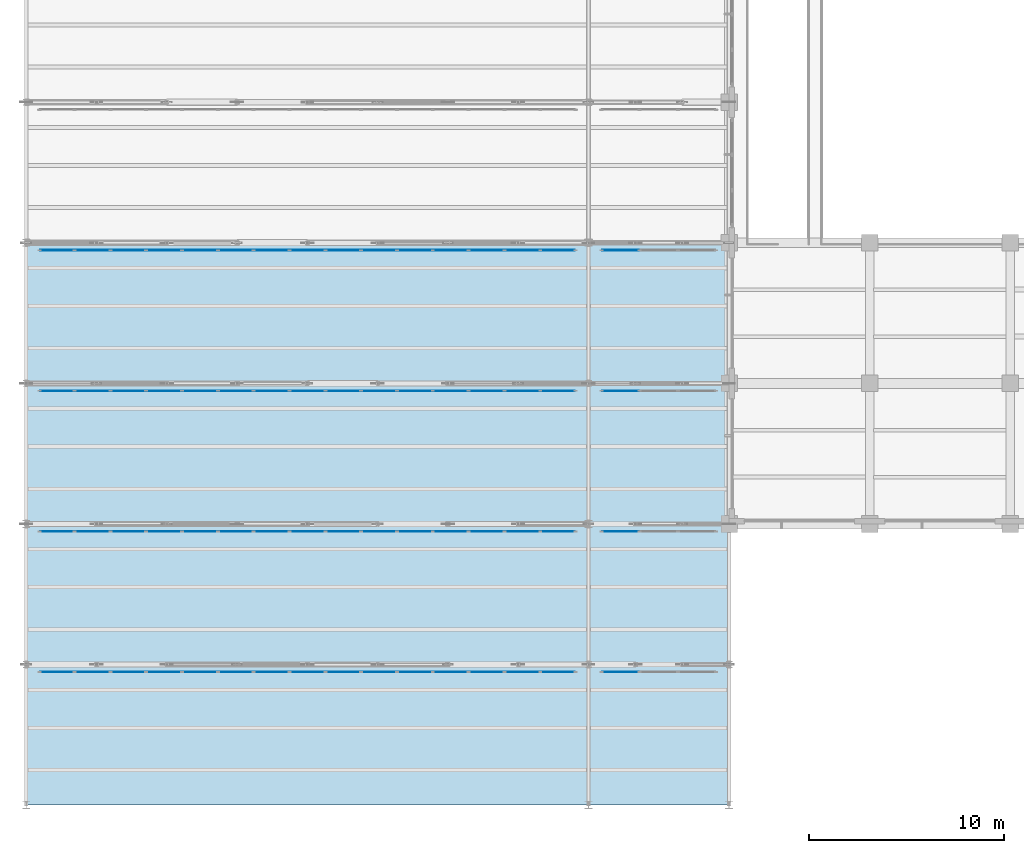
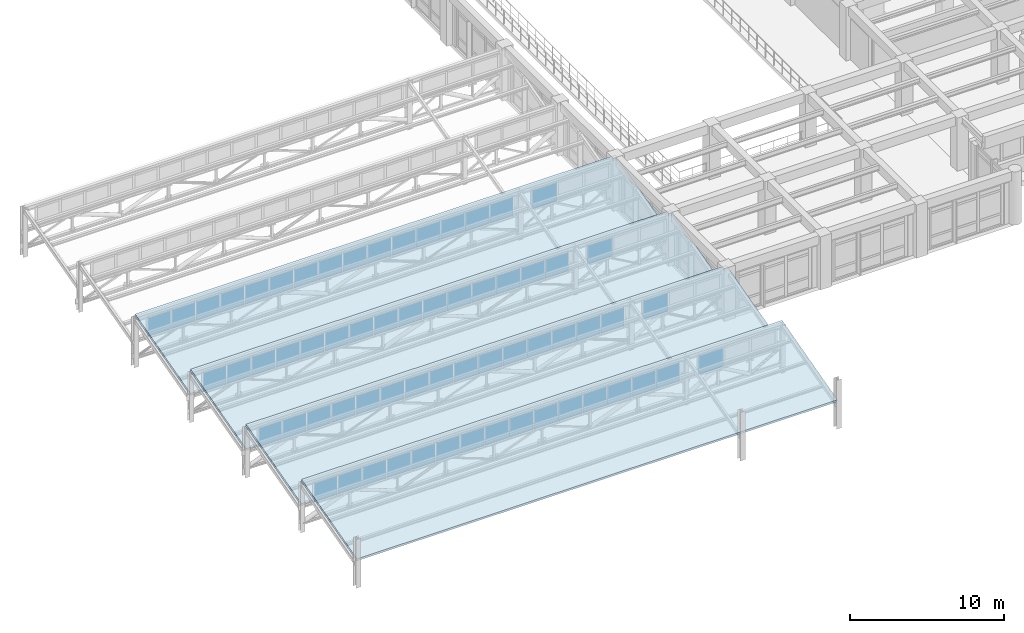
# One storey, part 64 of 98: 64 plates, 4 slabs, 8 elements without a shape of their own.
"""IFC4 building model written with IfcOpenShell, lengths in metres."""

from ifc_helpers import new_model, si_unit, direction, frame, origin, origin_2d, place, context, subcontext, project, spatial, polyline, rectangle, outline, extrude, material, layer, layer_set, type_object, element, aggregate, save


model = new_model("IFC4")

# Units and contexts
model_context = context("Model", 3, precision=1e-05, world=origin(), true_north=direction((0.0, 1.0)))
body_context = subcontext(model_context, "Body", "Model", "MODEL_VIEW")
ifc_project = project(units=[si_unit("LENGTHUNIT", "METRE"), si_unit("AREAUNIT", "SQUARE_METRE"), si_unit("VOLUMEUNIT", "CUBIC_METRE"), si_unit("PLANEANGLEUNIT", "RADIAN"), si_unit("MASSUNIT", "GRAM", prefix="KILO")], contexts=[model_context])

# Site, building, storey
site_placement = place(None, origin())
site = spatial("IfcSite", under=ifc_project, at=site_placement, CompositionType="ELEMENT")
building_placement = place(site_placement, origin())
building = spatial("IfcBuilding", under=site, at=building_placement, Name="Solenvale Faculty of Natural Sciences", CompositionType="ELEMENT")
storey_placement = place(building_placement, frame((0.0, 0.0, 9.0)))
storey = spatial("IfcBuildingStorey", under=building, at=storey_placement, Name="L02", CompositionType="ELEMENT", Elevation=9.0)

# Curtain wall, plates
ifc_material_1 = material(Name="Anodised bronze aluminium", Category="aluminium")
ifc_layer_1 = layer(ifc_material_1, 0.1650390625)
ifc_layer_set_1 = layer_set([ifc_layer_1], Name="Anodised bronze aluminium")
curtain_wall_type = type_object("IfcCurtainWallType", Name="CW-SAW-CLR", PredefinedType="USERDEFINED", material=ifc_layer_set_1)
curtain_wall_1_placement = place(storey_placement, origin())
curtain_wall_1 = element("IfcCurtainWall", 1, at=curtain_wall_1_placement, inside=storey, type_object=curtain_wall_type, Name="L02 Curtain Wall SAW-V1-CW-1-1", ObjectType="NORTH LIGHT CLERESTORY", PredefinedType="USERDEFINED")
ifc_material_2 = material(Name="North-light skylight glass", Category="glass")
ifc_layer_2 = layer(ifc_material_2, 0.028076171875)
ifc_layer_set_2 = layer_set([ifc_layer_2], Name="North-light skylight glass")
plate_type = type_object("IfcPlateType", Name="CWP-PNL-28", PredefinedType="CURTAIN_PANEL", material=ifc_layer_set_2)
plate_1_placement = place(storey_placement, frame((27.226318359375, 6.820068359375, 2.294921875), z_axis=(0.0, 0.0, 1.0), x_axis=(-1.0, 0.0, 0.0)))
plate_1 = element("IfcPlate", 2, at=plate_1_placement, type_object=plate_type, Name="CW-05 panel 1.1", PredefinedType="CURTAIN_PANEL", context=body_context, shape_type="SweptSolid", body=[
    extrude(rectangle(XDim=1.737060546875, YDim=0.028076171875, at=origin_2d()), origin(), (0.0, 0.0, 1.0), 1.47998046875),
])
plate_2_placement = place(storey_placement, frame((25.407958984375, 6.820068359375, 2.294921875), z_axis=(0.0, 0.0, 1.0), x_axis=(-1.0, 0.0, 0.0)))
plate_2 = element("IfcPlate", 3, at=plate_2_placement, type_object=plate_type, Name="CW-05 panel 2.1", PredefinedType="CURTAIN_PANEL", context=body_context, shape_type="SweptSolid", body=[
    extrude(rectangle(XDim=1.769775390625, YDim=0.028076171875, at=origin_2d()), origin(), (0.0, 0.0, 1.0), 1.47998046875),
])
plate_3_placement = place(storey_placement, frame((23.5732421875, 6.820068359375, 2.294921875), z_axis=(0.0, 0.0, 1.0), x_axis=(-1.0, 0.0, 0.0)))
plate_3 = element("IfcPlate", 4, at=plate_3_placement, type_object=plate_type, Name="CW-05 panel 3.1", PredefinedType="CURTAIN_PANEL", context=body_context, shape_type="SweptSolid", body=[
    extrude(rectangle(XDim=1.769775390625, YDim=0.028076171875, at=origin_2d()), origin(), (0.0, 0.0, 1.0), 1.47998046875),
])
plate_4_placement = place(storey_placement, frame((21.73876953125, 6.820068359375, 2.294921875), z_axis=(0.0, 0.0, 1.0), x_axis=(-1.0, 0.0, 0.0)))
plate_4 = element("IfcPlate", 5, at=plate_4_placement, type_object=plate_type, Name="CW-05 panel 4.1", PredefinedType="CURTAIN_PANEL", context=body_context, shape_type="SweptSolid", body=[
    extrude(rectangle(XDim=1.769775390625, YDim=0.028076171875, at=origin_2d()), origin(), (0.0, 0.0, 1.0), 1.47998046875),
])
plate_5_placement = place(storey_placement, frame((19.904052734375, 6.820068359375, 2.294921875), z_axis=(0.0, 0.0, 1.0), x_axis=(-1.0, 0.0, 0.0)))
plate_5 = element("IfcPlate", 6, at=plate_5_placement, type_object=plate_type, Name="CW-05 panel 5.1", PredefinedType="CURTAIN_PANEL", context=body_context, shape_type="SweptSolid", body=[
    extrude(rectangle(XDim=1.769775390625, YDim=0.028076171875, at=origin_2d()), origin(), (0.0, 0.0, 1.0), 1.47998046875),
])
plate_6_placement = place(storey_placement, frame((18.0693359375, 6.820068359375, 2.294921875), z_axis=(0.0, 0.0, 1.0), x_axis=(-1.0, 0.0, 0.0)))
plate_6 = element("IfcPlate", 7, at=plate_6_placement, type_object=plate_type, Name="CW-05 panel 6.1", PredefinedType="CURTAIN_PANEL", context=body_context, shape_type="SweptSolid", body=[
    extrude(rectangle(XDim=1.769775390625, YDim=0.028076171875, at=origin_2d()), origin(), (0.0, 0.0, 1.0), 1.47998046875),
])
plate_7_placement = place(storey_placement, frame((16.234619140625, 6.820068359375, 2.294921875), z_axis=(0.0, 0.0, 1.0), x_axis=(-1.0, 0.0, 0.0)))
plate_7 = element("IfcPlate", 8, at=plate_7_placement, type_object=plate_type, Name="CW-05 panel 7.1", PredefinedType="CURTAIN_PANEL", context=body_context, shape_type="SweptSolid", body=[
    extrude(rectangle(XDim=1.769775390625, YDim=0.028076171875, at=origin_2d()), origin(), (0.0, 0.0, 1.0), 1.47998046875),
])
plate_8_placement = place(storey_placement, frame((14.39990234375, 6.820068359375, 2.294921875), z_axis=(0.0, 0.0, 1.0), x_axis=(-1.0, 0.0, 0.0)))
plate_8 = element("IfcPlate", 9, at=plate_8_placement, type_object=plate_type, Name="CW-05 panel 8.1", PredefinedType="CURTAIN_PANEL", context=body_context, shape_type="SweptSolid", body=[
    extrude(rectangle(XDim=1.769775390625, YDim=0.028076171875, at=origin_2d()), origin(), (0.0, 0.0, 1.0), 1.47998046875),
])
plate_9_placement = place(storey_placement, frame((12.5654296875, 6.820068359375, 2.294921875), z_axis=(0.0, 0.0, 1.0), x_axis=(-1.0, 0.0, 0.0)))
plate_9 = element("IfcPlate", 10, at=plate_9_placement, type_object=plate_type, Name="CW-05 panel 9.1", PredefinedType="CURTAIN_PANEL", context=body_context, shape_type="SweptSolid", body=[
    extrude(rectangle(XDim=1.769775390625, YDim=0.028076171875, at=origin_2d()), origin(), (0.0, 0.0, 1.0), 1.47998046875),
])
plate_10_placement = place(storey_placement, frame((10.730712890625, 6.820068359375, 2.294921875), z_axis=(0.0, 0.0, 1.0), x_axis=(-1.0, 0.0, 0.0)))
plate_10 = element("IfcPlate", 11, at=plate_10_placement, type_object=plate_type, Name="CW-05 panel 10.1", PredefinedType="CURTAIN_PANEL", context=body_context, shape_type="SweptSolid", body=[
    extrude(rectangle(XDim=1.769775390625, YDim=0.028076171875, at=origin_2d()), origin(), (0.0, 0.0, 1.0), 1.47998046875),
])
plate_11_placement = place(storey_placement, frame((8.89599609375, 6.820068359375, 2.294921875), z_axis=(0.0, 0.0, 1.0), x_axis=(-1.0, 0.0, 0.0)))
plate_11 = element("IfcPlate", 12, at=plate_11_placement, type_object=plate_type, Name="CW-05 panel 11.1", PredefinedType="CURTAIN_PANEL", context=body_context, shape_type="SweptSolid", body=[
    extrude(rectangle(XDim=1.769775390625, YDim=0.028076171875, at=origin_2d()), origin(), (0.0, 0.0, 1.0), 1.47998046875),
])
plate_12_placement = place(storey_placement, frame((7.061279296875, 6.820068359375, 2.294921875), z_axis=(0.0, 0.0, 1.0), x_axis=(-1.0, 0.0, 0.0)))
plate_12 = element("IfcPlate", 13, at=plate_12_placement, type_object=plate_type, Name="CW-05 panel 12.1", PredefinedType="CURTAIN_PANEL", context=body_context, shape_type="SweptSolid", body=[
    extrude(rectangle(XDim=1.769775390625, YDim=0.028076171875, at=origin_2d()), origin(), (0.0, 0.0, 1.0), 1.47998046875),
])
plate_13_placement = place(storey_placement, frame((5.2265625, 6.820068359375, 2.294921875), z_axis=(0.0, 0.0, 1.0), x_axis=(-1.0, 0.0, 0.0)))
plate_13 = element("IfcPlate", 14, at=plate_13_placement, type_object=plate_type, Name="CW-05 panel 13.1", PredefinedType="CURTAIN_PANEL", context=body_context, shape_type="SweptSolid", body=[
    extrude(rectangle(XDim=1.769775390625, YDim=0.028076171875, at=origin_2d()), origin(), (0.0, 0.0, 1.0), 1.47998046875),
])
plate_14_placement = place(storey_placement, frame((3.39208984375, 6.820068359375, 2.294921875), z_axis=(0.0, 0.0, 1.0), x_axis=(-1.0, 0.0, 0.0)))
plate_14 = element("IfcPlate", 15, at=plate_14_placement, type_object=plate_type, Name="CW-05 panel 14.1", PredefinedType="CURTAIN_PANEL", context=body_context, shape_type="SweptSolid", body=[
    extrude(rectangle(XDim=1.769775390625, YDim=0.028076171875, at=origin_2d()), origin(), (0.0, 0.0, 1.0), 1.47998046875),
])
plate_15_placement = place(storey_placement, frame((1.573486328125, 6.820068359375, 2.294921875), z_axis=(0.0, 0.0, 1.0), x_axis=(-1.0, 0.0, 0.0)))
plate_15 = element("IfcPlate", 16, at=plate_15_placement, type_object=plate_type, Name="CW-05 panel 15.1", PredefinedType="CURTAIN_PANEL", context=body_context, shape_type="SweptSolid", body=[
    extrude(rectangle(XDim=1.737060546875, YDim=0.028076171875, at=origin_2d()), origin(), (0.0, 0.0, 1.0), 1.47998046875),
])
aggregate(curtain_wall_1, [plate_1, plate_2, plate_3, plate_4, plate_5, plate_6, plate_7, plate_8, plate_9, plate_10, plate_11, plate_12, plate_13, plate_14, plate_15])

# Curtain wall, plate
curtain_wall_2_placement = place(storey_placement, origin())
curtain_wall_2 = element("IfcCurtainWall", 17, at=curtain_wall_2_placement, inside=storey, type_object=curtain_wall_type, Name="L02 Curtain Wall SAW-V1-CW-1-2", ObjectType="NORTH LIGHT CLERESTORY", PredefinedType="USERDEFINED")
plate_16_placement = place(storey_placement, frame((30.44287109375, 6.820068359375, 2.294921875), z_axis=(0.0, 0.0, 1.0), x_axis=(-1.0, 0.0, 0.0)))
plate_16 = element("IfcPlate", 18, at=plate_16_placement, type_object=plate_type, Name="CW-05 panel 3.1", PredefinedType="CURTAIN_PANEL", context=body_context, shape_type="SweptSolid", body=[
    extrude(rectangle(XDim=1.875732421875, YDim=0.028076171875, at=origin_2d()), origin(), (0.0, 0.0, 1.0), 1.47998046875),
])
aggregate(curtain_wall_2, [plate_16])

# Curtain wall, plates
curtain_wall_3_placement = place(storey_placement, origin())
curtain_wall_3 = element("IfcCurtainWall", 19, at=curtain_wall_3_placement, inside=storey, type_object=curtain_wall_type, Name="L02 Curtain Wall SAW-V1-CW-2-1", ObjectType="NORTH LIGHT CLERESTORY", PredefinedType="USERDEFINED")
plate_17_placement = place(storey_placement, frame((27.226318359375, 14.02001953125, 2.294921875), z_axis=(0.0, 0.0, 1.0), x_axis=(-1.0, 0.0, 0.0)))
plate_17 = element("IfcPlate", 20, at=plate_17_placement, type_object=plate_type, Name="CW-05 panel 1.1", PredefinedType="CURTAIN_PANEL", context=body_context, shape_type="SweptSolid", body=[
    extrude(rectangle(XDim=1.737060546875, YDim=0.028076171875, at=origin_2d()), origin(), (0.0, 0.0, 1.0), 1.47998046875),
])
plate_18_placement = place(storey_placement, frame((25.407958984375, 14.02001953125, 2.294921875), z_axis=(0.0, 0.0, 1.0), x_axis=(-1.0, 0.0, 0.0)))
plate_18 = element("IfcPlate", 21, at=plate_18_placement, type_object=plate_type, Name="CW-05 panel 2.1", PredefinedType="CURTAIN_PANEL", context=body_context, shape_type="SweptSolid", body=[
    extrude(rectangle(XDim=1.769775390625, YDim=0.028076171875, at=origin_2d()), origin(), (0.0, 0.0, 1.0), 1.47998046875),
])
plate_19_placement = place(storey_placement, frame((23.5732421875, 14.02001953125, 2.294921875), z_axis=(0.0, 0.0, 1.0), x_axis=(-1.0, 0.0, 0.0)))
plate_19 = element("IfcPlate", 22, at=plate_19_placement, type_object=plate_type, Name="CW-05 panel 3.1", PredefinedType="CURTAIN_PANEL", context=body_context, shape_type="SweptSolid", body=[
    extrude(rectangle(XDim=1.769775390625, YDim=0.028076171875, at=origin_2d()), origin(), (0.0, 0.0, 1.0), 1.47998046875),
])
plate_20_placement = place(storey_placement, frame((21.73876953125, 14.02001953125, 2.294921875), z_axis=(0.0, 0.0, 1.0), x_axis=(-1.0, 0.0, 0.0)))
plate_20 = element("IfcPlate", 23, at=plate_20_placement, type_object=plate_type, Name="CW-05 panel 4.1", PredefinedType="CURTAIN_PANEL", context=body_context, shape_type="SweptSolid", body=[
    extrude(rectangle(XDim=1.769775390625, YDim=0.028076171875, at=origin_2d()), origin(), (0.0, 0.0, 1.0), 1.47998046875),
])
plate_21_placement = place(storey_placement, frame((19.904052734375, 14.02001953125, 2.294921875), z_axis=(0.0, 0.0, 1.0), x_axis=(-1.0, 0.0, 0.0)))
plate_21 = element("IfcPlate", 24, at=plate_21_placement, type_object=plate_type, Name="CW-05 panel 5.1", PredefinedType="CURTAIN_PANEL", context=body_context, shape_type="SweptSolid", body=[
    extrude(rectangle(XDim=1.769775390625, YDim=0.028076171875, at=origin_2d()), origin(), (0.0, 0.0, 1.0), 1.47998046875),
])
plate_22_placement = place(storey_placement, frame((18.0693359375, 14.02001953125, 2.294921875), z_axis=(0.0, 0.0, 1.0), x_axis=(-1.0, 0.0, 0.0)))
plate_22 = element("IfcPlate", 25, at=plate_22_placement, type_object=plate_type, Name="CW-05 panel 6.1", PredefinedType="CURTAIN_PANEL", context=body_context, shape_type="SweptSolid", body=[
    extrude(rectangle(XDim=1.769775390625, YDim=0.028076171875, at=origin_2d()), origin(), (0.0, 0.0, 1.0), 1.47998046875),
])
plate_23_placement = place(storey_placement, frame((16.234619140625, 14.02001953125, 2.294921875), z_axis=(0.0, 0.0, 1.0), x_axis=(-1.0, 0.0, 0.0)))
plate_23 = element("IfcPlate", 26, at=plate_23_placement, type_object=plate_type, Name="CW-05 panel 7.1", PredefinedType="CURTAIN_PANEL", context=body_context, shape_type="SweptSolid", body=[
    extrude(rectangle(XDim=1.769775390625, YDim=0.028076171875, at=origin_2d()), origin(), (0.0, 0.0, 1.0), 1.47998046875),
])
plate_24_placement = place(storey_placement, frame((14.39990234375, 14.02001953125, 2.294921875), z_axis=(0.0, 0.0, 1.0), x_axis=(-1.0, 0.0, 0.0)))
plate_24 = element("IfcPlate", 27, at=plate_24_placement, type_object=plate_type, Name="CW-05 panel 8.1", PredefinedType="CURTAIN_PANEL", context=body_context, shape_type="SweptSolid", body=[
    extrude(rectangle(XDim=1.769775390625, YDim=0.028076171875, at=origin_2d()), origin(), (0.0, 0.0, 1.0), 1.47998046875),
])
plate_25_placement = place(storey_placement, frame((12.5654296875, 14.02001953125, 2.294921875), z_axis=(0.0, 0.0, 1.0), x_axis=(-1.0, 0.0, 0.0)))
plate_25 = element("IfcPlate", 28, at=plate_25_placement, type_object=plate_type, Name="CW-05 panel 9.1", PredefinedType="CURTAIN_PANEL", context=body_context, shape_type="SweptSolid", body=[
    extrude(rectangle(XDim=1.769775390625, YDim=0.028076171875, at=origin_2d()), origin(), (0.0, 0.0, 1.0), 1.47998046875),
])
plate_26_placement = place(storey_placement, frame((10.730712890625, 14.02001953125, 2.294921875), z_axis=(0.0, 0.0, 1.0), x_axis=(-1.0, 0.0, 0.0)))
plate_26 = element("IfcPlate", 29, at=plate_26_placement, type_object=plate_type, Name="CW-05 panel 10.1", PredefinedType="CURTAIN_PANEL", context=body_context, shape_type="SweptSolid", body=[
    extrude(rectangle(XDim=1.769775390625, YDim=0.028076171875, at=origin_2d()), origin(), (0.0, 0.0, 1.0), 1.47998046875),
])
plate_27_placement = place(storey_placement, frame((8.89599609375, 14.02001953125, 2.294921875), z_axis=(0.0, 0.0, 1.0), x_axis=(-1.0, 0.0, 0.0)))
plate_27 = element("IfcPlate", 30, at=plate_27_placement, type_object=plate_type, Name="CW-05 panel 11.1", PredefinedType="CURTAIN_PANEL", context=body_context, shape_type="SweptSolid", body=[
    extrude(rectangle(XDim=1.769775390625, YDim=0.028076171875, at=origin_2d()), origin(), (0.0, 0.0, 1.0), 1.47998046875),
])
plate_28_placement = place(storey_placement, frame((7.061279296875, 14.02001953125, 2.294921875), z_axis=(0.0, 0.0, 1.0), x_axis=(-1.0, 0.0, 0.0)))
plate_28 = element("IfcPlate", 31, at=plate_28_placement, type_object=plate_type, Name="CW-05 panel 12.1", PredefinedType="CURTAIN_PANEL", context=body_context, shape_type="SweptSolid", body=[
    extrude(rectangle(XDim=1.769775390625, YDim=0.028076171875, at=origin_2d()), origin(), (0.0, 0.0, 1.0), 1.47998046875),
])
plate_29_placement = place(storey_placement, frame((5.2265625, 14.02001953125, 2.294921875), z_axis=(0.0, 0.0, 1.0), x_axis=(-1.0, 0.0, 0.0)))
plate_29 = element("IfcPlate", 32, at=plate_29_placement, type_object=plate_type, Name="CW-05 panel 13.1", PredefinedType="CURTAIN_PANEL", context=body_context, shape_type="SweptSolid", body=[
    extrude(rectangle(XDim=1.769775390625, YDim=0.028076171875, at=origin_2d()), origin(), (0.0, 0.0, 1.0), 1.47998046875),
])
plate_30_placement = place(storey_placement, frame((3.39208984375, 14.02001953125, 2.294921875), z_axis=(0.0, 0.0, 1.0), x_axis=(-1.0, 0.0, 0.0)))
plate_30 = element("IfcPlate", 33, at=plate_30_placement, type_object=plate_type, Name="CW-05 panel 14.1", PredefinedType="CURTAIN_PANEL", context=body_context, shape_type="SweptSolid", body=[
    extrude(rectangle(XDim=1.769775390625, YDim=0.028076171875, at=origin_2d()), origin(), (0.0, 0.0, 1.0), 1.47998046875),
])
plate_31_placement = place(storey_placement, frame((1.573486328125, 14.02001953125, 2.294921875), z_axis=(0.0, 0.0, 1.0), x_axis=(-1.0, 0.0, 0.0)))
plate_31 = element("IfcPlate", 34, at=plate_31_placement, type_object=plate_type, Name="CW-05 panel 15.1", PredefinedType="CURTAIN_PANEL", context=body_context, shape_type="SweptSolid", body=[
    extrude(rectangle(XDim=1.737060546875, YDim=0.028076171875, at=origin_2d()), origin(), (0.0, 0.0, 1.0), 1.47998046875),
])
aggregate(curtain_wall_3, [plate_17, plate_18, plate_19, plate_20, plate_21, plate_22, plate_23, plate_24, plate_25, plate_26, plate_27, plate_28, plate_29, plate_30, plate_31])

# Curtain wall, plate
curtain_wall_4_placement = place(storey_placement, origin())
curtain_wall_4 = element("IfcCurtainWall", 35, at=curtain_wall_4_placement, inside=storey, type_object=curtain_wall_type, Name="L02 Curtain Wall SAW-V1-CW-2-2", ObjectType="NORTH LIGHT CLERESTORY", PredefinedType="USERDEFINED")
plate_32_placement = place(storey_placement, frame((30.44287109375, 14.02001953125, 2.294921875), z_axis=(0.0, 0.0, 1.0), x_axis=(-1.0, 0.0, 0.0)))
plate_32 = element("IfcPlate", 36, at=plate_32_placement, type_object=plate_type, Name="CW-05 panel 3.1", PredefinedType="CURTAIN_PANEL", context=body_context, shape_type="SweptSolid", body=[
    extrude(rectangle(XDim=1.875732421875, YDim=0.028076171875, at=origin_2d()), origin(), (0.0, 0.0, 1.0), 1.47998046875),
])
aggregate(curtain_wall_4, [plate_32])

# Curtain wall, plates
curtain_wall_5_placement = place(storey_placement, origin())
curtain_wall_5 = element("IfcCurtainWall", 37, at=curtain_wall_5_placement, inside=storey, type_object=curtain_wall_type, Name="L02 Curtain Wall SAW-V1-CW-3-1", ObjectType="NORTH LIGHT CLERESTORY", PredefinedType="USERDEFINED")
plate_33_placement = place(storey_placement, frame((27.226318359375, 21.219970703125, 2.294921875), z_axis=(0.0, 0.0, 1.0), x_axis=(-1.0, 0.0, 0.0)))
plate_33 = element("IfcPlate", 38, at=plate_33_placement, type_object=plate_type, Name="CW-05 panel 1.1", PredefinedType="CURTAIN_PANEL", context=body_context, shape_type="SweptSolid", body=[
    extrude(rectangle(XDim=1.737060546875, YDim=0.028076171875, at=origin_2d()), origin(), (0.0, 0.0, 1.0), 1.47998046875),
])
plate_34_placement = place(storey_placement, frame((25.407958984375, 21.219970703125, 2.294921875), z_axis=(0.0, 0.0, 1.0), x_axis=(-1.0, 0.0, 0.0)))
plate_34 = element("IfcPlate", 39, at=plate_34_placement, type_object=plate_type, Name="CW-05 panel 2.1", PredefinedType="CURTAIN_PANEL", context=body_context, shape_type="SweptSolid", body=[
    extrude(rectangle(XDim=1.769775390625, YDim=0.028076171875, at=origin_2d()), origin(), (0.0, 0.0, 1.0), 1.47998046875),
])
plate_35_placement = place(storey_placement, frame((23.5732421875, 21.219970703125, 2.294921875), z_axis=(0.0, 0.0, 1.0), x_axis=(-1.0, 0.0, 0.0)))
plate_35 = element("IfcPlate", 40, at=plate_35_placement, type_object=plate_type, Name="CW-05 panel 3.1", PredefinedType="CURTAIN_PANEL", context=body_context, shape_type="SweptSolid", body=[
    extrude(rectangle(XDim=1.769775390625, YDim=0.028076171875, at=origin_2d()), origin(), (0.0, 0.0, 1.0), 1.47998046875),
])
plate_36_placement = place(storey_placement, frame((21.73876953125, 21.219970703125, 2.294921875), z_axis=(0.0, 0.0, 1.0), x_axis=(-1.0, 0.0, 0.0)))
plate_36 = element("IfcPlate", 41, at=plate_36_placement, type_object=plate_type, Name="CW-05 panel 4.1", PredefinedType="CURTAIN_PANEL", context=body_context, shape_type="SweptSolid", body=[
    extrude(rectangle(XDim=1.769775390625, YDim=0.028076171875, at=origin_2d()), origin(), (0.0, 0.0, 1.0), 1.47998046875),
])
plate_37_placement = place(storey_placement, frame((19.904052734375, 21.219970703125, 2.294921875), z_axis=(0.0, 0.0, 1.0), x_axis=(-1.0, 0.0, 0.0)))
plate_37 = element("IfcPlate", 42, at=plate_37_placement, type_object=plate_type, Name="CW-05 panel 5.1", PredefinedType="CURTAIN_PANEL", context=body_context, shape_type="SweptSolid", body=[
    extrude(rectangle(XDim=1.769775390625, YDim=0.028076171875, at=origin_2d()), origin(), (0.0, 0.0, 1.0), 1.47998046875),
])
plate_38_placement = place(storey_placement, frame((18.0693359375, 21.219970703125, 2.294921875), z_axis=(0.0, 0.0, 1.0), x_axis=(-1.0, 0.0, 0.0)))
plate_38 = element("IfcPlate", 43, at=plate_38_placement, type_object=plate_type, Name="CW-05 panel 6.1", PredefinedType="CURTAIN_PANEL", context=body_context, shape_type="SweptSolid", body=[
    extrude(rectangle(XDim=1.769775390625, YDim=0.028076171875, at=origin_2d()), origin(), (0.0, 0.0, 1.0), 1.47998046875),
])
plate_39_placement = place(storey_placement, frame((16.234619140625, 21.219970703125, 2.294921875), z_axis=(0.0, 0.0, 1.0), x_axis=(-1.0, 0.0, 0.0)))
plate_39 = element("IfcPlate", 44, at=plate_39_placement, type_object=plate_type, Name="CW-05 panel 7.1", PredefinedType="CURTAIN_PANEL", context=body_context, shape_type="SweptSolid", body=[
    extrude(rectangle(XDim=1.769775390625, YDim=0.028076171875, at=origin_2d()), origin(), (0.0, 0.0, 1.0), 1.47998046875),
])
plate_40_placement = place(storey_placement, frame((14.39990234375, 21.219970703125, 2.294921875), z_axis=(0.0, 0.0, 1.0), x_axis=(-1.0, 0.0, 0.0)))
plate_40 = element("IfcPlate", 45, at=plate_40_placement, type_object=plate_type, Name="CW-05 panel 8.1", PredefinedType="CURTAIN_PANEL", context=body_context, shape_type="SweptSolid", body=[
    extrude(rectangle(XDim=1.769775390625, YDim=0.028076171875, at=origin_2d()), origin(), (0.0, 0.0, 1.0), 1.47998046875),
])
plate_41_placement = place(storey_placement, frame((12.5654296875, 21.219970703125, 2.294921875), z_axis=(0.0, 0.0, 1.0), x_axis=(-1.0, 0.0, 0.0)))
plate_41 = element("IfcPlate", 46, at=plate_41_placement, type_object=plate_type, Name="CW-05 panel 9.1", PredefinedType="CURTAIN_PANEL", context=body_context, shape_type="SweptSolid", body=[
    extrude(rectangle(XDim=1.769775390625, YDim=0.028076171875, at=origin_2d()), origin(), (0.0, 0.0, 1.0), 1.47998046875),
])
plate_42_placement = place(storey_placement, frame((10.730712890625, 21.219970703125, 2.294921875), z_axis=(0.0, 0.0, 1.0), x_axis=(-1.0, 0.0, 0.0)))
plate_42 = element("IfcPlate", 47, at=plate_42_placement, type_object=plate_type, Name="CW-05 panel 10.1", PredefinedType="CURTAIN_PANEL", context=body_context, shape_type="SweptSolid", body=[
    extrude(rectangle(XDim=1.769775390625, YDim=0.028076171875, at=origin_2d()), origin(), (0.0, 0.0, 1.0), 1.47998046875),
])
plate_43_placement = place(storey_placement, frame((8.89599609375, 21.219970703125, 2.294921875), z_axis=(0.0, 0.0, 1.0), x_axis=(-1.0, 0.0, 0.0)))
plate_43 = element("IfcPlate", 48, at=plate_43_placement, type_object=plate_type, Name="CW-05 panel 11.1", PredefinedType="CURTAIN_PANEL", context=body_context, shape_type="SweptSolid", body=[
    extrude(rectangle(XDim=1.769775390625, YDim=0.028076171875, at=origin_2d()), origin(), (0.0, 0.0, 1.0), 1.47998046875),
])
plate_44_placement = place(storey_placement, frame((7.061279296875, 21.219970703125, 2.294921875), z_axis=(0.0, 0.0, 1.0), x_axis=(-1.0, 0.0, 0.0)))
plate_44 = element("IfcPlate", 49, at=plate_44_placement, type_object=plate_type, Name="CW-05 panel 12.1", PredefinedType="CURTAIN_PANEL", context=body_context, shape_type="SweptSolid", body=[
    extrude(rectangle(XDim=1.769775390625, YDim=0.028076171875, at=origin_2d()), origin(), (0.0, 0.0, 1.0), 1.47998046875),
])
plate_45_placement = place(storey_placement, frame((5.2265625, 21.219970703125, 2.294921875), z_axis=(0.0, 0.0, 1.0), x_axis=(-1.0, 0.0, 0.0)))
plate_45 = element("IfcPlate", 50, at=plate_45_placement, type_object=plate_type, Name="CW-05 panel 13.1", PredefinedType="CURTAIN_PANEL", context=body_context, shape_type="SweptSolid", body=[
    extrude(rectangle(XDim=1.769775390625, YDim=0.028076171875, at=origin_2d()), origin(), (0.0, 0.0, 1.0), 1.47998046875),
])
plate_46_placement = place(storey_placement, frame((3.39208984375, 21.219970703125, 2.294921875), z_axis=(0.0, 0.0, 1.0), x_axis=(-1.0, 0.0, 0.0)))
plate_46 = element("IfcPlate", 51, at=plate_46_placement, type_object=plate_type, Name="CW-05 panel 14.1", PredefinedType="CURTAIN_PANEL", context=body_context, shape_type="SweptSolid", body=[
    extrude(rectangle(XDim=1.769775390625, YDim=0.028076171875, at=origin_2d()), origin(), (0.0, 0.0, 1.0), 1.47998046875),
])
plate_47_placement = place(storey_placement, frame((1.573486328125, 21.219970703125, 2.294921875), z_axis=(0.0, 0.0, 1.0), x_axis=(-1.0, 0.0, 0.0)))
plate_47 = element("IfcPlate", 52, at=plate_47_placement, type_object=plate_type, Name="CW-05 panel 15.1", PredefinedType="CURTAIN_PANEL", context=body_context, shape_type="SweptSolid", body=[
    extrude(rectangle(XDim=1.737060546875, YDim=0.028076171875, at=origin_2d()), origin(), (0.0, 0.0, 1.0), 1.47998046875),
])
aggregate(curtain_wall_5, [plate_33, plate_34, plate_35, plate_36, plate_37, plate_38, plate_39, plate_40, plate_41, plate_42, plate_43, plate_44, plate_45, plate_46, plate_47])

# Curtain wall, plate
curtain_wall_6_placement = place(storey_placement, origin())
curtain_wall_6 = element("IfcCurtainWall", 53, at=curtain_wall_6_placement, inside=storey, type_object=curtain_wall_type, Name="L02 Curtain Wall SAW-V1-CW-3-2", ObjectType="NORTH LIGHT CLERESTORY", PredefinedType="USERDEFINED")
plate_48_placement = place(storey_placement, frame((30.44287109375, 21.219970703125, 2.294921875), z_axis=(0.0, 0.0, 1.0), x_axis=(-1.0, 0.0, 0.0)))
plate_48 = element("IfcPlate", 54, at=plate_48_placement, type_object=plate_type, Name="CW-05 panel 3.1", PredefinedType="CURTAIN_PANEL", context=body_context, shape_type="SweptSolid", body=[
    extrude(rectangle(XDim=1.875732421875, YDim=0.028076171875, at=origin_2d()), origin(), (0.0, 0.0, 1.0), 1.47998046875),
])
aggregate(curtain_wall_6, [plate_48])

# Curtain wall, plates
curtain_wall_7_placement = place(storey_placement, origin())
curtain_wall_7 = element("IfcCurtainWall", 55, at=curtain_wall_7_placement, inside=storey, type_object=curtain_wall_type, Name="L02 Curtain Wall SAW-V1-CW-4-1", ObjectType="NORTH LIGHT CLERESTORY", PredefinedType="USERDEFINED")
plate_49_placement = place(storey_placement, frame((27.226318359375, 28.419921875, 2.294921875), z_axis=(0.0, 0.0, 1.0), x_axis=(-1.0, 0.0, 0.0)))
plate_49 = element("IfcPlate", 56, at=plate_49_placement, type_object=plate_type, Name="CW-05 panel 1.1", PredefinedType="CURTAIN_PANEL", context=body_context, shape_type="SweptSolid", body=[
    extrude(rectangle(XDim=1.737060546875, YDim=0.028076171875, at=origin_2d()), origin(), (0.0, 0.0, 1.0), 1.47998046875),
])
plate_50_placement = place(storey_placement, frame((25.407958984375, 28.419921875, 2.294921875), z_axis=(0.0, 0.0, 1.0), x_axis=(-1.0, 0.0, 0.0)))
plate_50 = element("IfcPlate", 57, at=plate_50_placement, type_object=plate_type, Name="CW-05 panel 2.1", PredefinedType="CURTAIN_PANEL", context=body_context, shape_type="SweptSolid", body=[
    extrude(rectangle(XDim=1.769775390625, YDim=0.028076171875, at=origin_2d()), origin(), (0.0, 0.0, 1.0), 1.47998046875),
])
plate_51_placement = place(storey_placement, frame((23.5732421875, 28.419921875, 2.294921875), z_axis=(0.0, 0.0, 1.0), x_axis=(-1.0, 0.0, 0.0)))
plate_51 = element("IfcPlate", 58, at=plate_51_placement, type_object=plate_type, Name="CW-05 panel 3.1", PredefinedType="CURTAIN_PANEL", context=body_context, shape_type="SweptSolid", body=[
    extrude(rectangle(XDim=1.769775390625, YDim=0.028076171875, at=origin_2d()), origin(), (0.0, 0.0, 1.0), 1.47998046875),
])
plate_52_placement = place(storey_placement, frame((21.73876953125, 28.419921875, 2.294921875), z_axis=(0.0, 0.0, 1.0), x_axis=(-1.0, 0.0, 0.0)))
plate_52 = element("IfcPlate", 59, at=plate_52_placement, type_object=plate_type, Name="CW-05 panel 4.1", PredefinedType="CURTAIN_PANEL", context=body_context, shape_type="SweptSolid", body=[
    extrude(rectangle(XDim=1.769775390625, YDim=0.028076171875, at=origin_2d()), origin(), (0.0, 0.0, 1.0), 1.47998046875),
])
plate_53_placement = place(storey_placement, frame((19.904052734375, 28.419921875, 2.294921875), z_axis=(0.0, 0.0, 1.0), x_axis=(-1.0, 0.0, 0.0)))
plate_53 = element("IfcPlate", 60, at=plate_53_placement, type_object=plate_type, Name="CW-05 panel 5.1", PredefinedType="CURTAIN_PANEL", context=body_context, shape_type="SweptSolid", body=[
    extrude(rectangle(XDim=1.769775390625, YDim=0.028076171875, at=origin_2d()), origin(), (0.0, 0.0, 1.0), 1.47998046875),
])
plate_54_placement = place(storey_placement, frame((18.0693359375, 28.419921875, 2.294921875), z_axis=(0.0, 0.0, 1.0), x_axis=(-1.0, 0.0, 0.0)))
plate_54 = element("IfcPlate", 61, at=plate_54_placement, type_object=plate_type, Name="CW-05 panel 6.1", PredefinedType="CURTAIN_PANEL", context=body_context, shape_type="SweptSolid", body=[
    extrude(rectangle(XDim=1.769775390625, YDim=0.028076171875, at=origin_2d()), origin(), (0.0, 0.0, 1.0), 1.47998046875),
])
plate_55_placement = place(storey_placement, frame((16.234619140625, 28.419921875, 2.294921875), z_axis=(0.0, 0.0, 1.0), x_axis=(-1.0, 0.0, 0.0)))
plate_55 = element("IfcPlate", 62, at=plate_55_placement, type_object=plate_type, Name="CW-05 panel 7.1", PredefinedType="CURTAIN_PANEL", context=body_context, shape_type="SweptSolid", body=[
    extrude(rectangle(XDim=1.769775390625, YDim=0.028076171875, at=origin_2d()), origin(), (0.0, 0.0, 1.0), 1.47998046875),
])
plate_56_placement = place(storey_placement, frame((14.39990234375, 28.419921875, 2.294921875), z_axis=(0.0, 0.0, 1.0), x_axis=(-1.0, 0.0, 0.0)))
plate_56 = element("IfcPlate", 63, at=plate_56_placement, type_object=plate_type, Name="CW-05 panel 8.1", PredefinedType="CURTAIN_PANEL", context=body_context, shape_type="SweptSolid", body=[
    extrude(rectangle(XDim=1.769775390625, YDim=0.028076171875, at=origin_2d()), origin(), (0.0, 0.0, 1.0), 1.47998046875),
])
plate_57_placement = place(storey_placement, frame((12.5654296875, 28.419921875, 2.294921875), z_axis=(0.0, 0.0, 1.0), x_axis=(-1.0, 0.0, 0.0)))
plate_57 = element("IfcPlate", 64, at=plate_57_placement, type_object=plate_type, Name="CW-05 panel 9.1", PredefinedType="CURTAIN_PANEL", context=body_context, shape_type="SweptSolid", body=[
    extrude(rectangle(XDim=1.769775390625, YDim=0.028076171875, at=origin_2d()), origin(), (0.0, 0.0, 1.0), 1.47998046875),
])
plate_58_placement = place(storey_placement, frame((10.730712890625, 28.419921875, 2.294921875), z_axis=(0.0, 0.0, 1.0), x_axis=(-1.0, 0.0, 0.0)))
plate_58 = element("IfcPlate", 65, at=plate_58_placement, type_object=plate_type, Name="CW-05 panel 10.1", PredefinedType="CURTAIN_PANEL", context=body_context, shape_type="SweptSolid", body=[
    extrude(rectangle(XDim=1.769775390625, YDim=0.028076171875, at=origin_2d()), origin(), (0.0, 0.0, 1.0), 1.47998046875),
])
plate_59_placement = place(storey_placement, frame((8.89599609375, 28.419921875, 2.294921875), z_axis=(0.0, 0.0, 1.0), x_axis=(-1.0, 0.0, 0.0)))
plate_59 = element("IfcPlate", 66, at=plate_59_placement, type_object=plate_type, Name="CW-05 panel 11.1", PredefinedType="CURTAIN_PANEL", context=body_context, shape_type="SweptSolid", body=[
    extrude(rectangle(XDim=1.769775390625, YDim=0.028076171875, at=origin_2d()), origin(), (0.0, 0.0, 1.0), 1.47998046875),
])
plate_60_placement = place(storey_placement, frame((7.061279296875, 28.419921875, 2.294921875), z_axis=(0.0, 0.0, 1.0), x_axis=(-1.0, 0.0, 0.0)))
plate_60 = element("IfcPlate", 67, at=plate_60_placement, type_object=plate_type, Name="CW-05 panel 12.1", PredefinedType="CURTAIN_PANEL", context=body_context, shape_type="SweptSolid", body=[
    extrude(rectangle(XDim=1.769775390625, YDim=0.028076171875, at=origin_2d()), origin(), (0.0, 0.0, 1.0), 1.47998046875),
])
plate_61_placement = place(storey_placement, frame((5.2265625, 28.419921875, 2.294921875), z_axis=(0.0, 0.0, 1.0), x_axis=(-1.0, 0.0, 0.0)))
plate_61 = element("IfcPlate", 68, at=plate_61_placement, type_object=plate_type, Name="CW-05 panel 13.1", PredefinedType="CURTAIN_PANEL", context=body_context, shape_type="SweptSolid", body=[
    extrude(rectangle(XDim=1.769775390625, YDim=0.028076171875, at=origin_2d()), origin(), (0.0, 0.0, 1.0), 1.47998046875),
])
plate_62_placement = place(storey_placement, frame((3.39208984375, 28.419921875, 2.294921875), z_axis=(0.0, 0.0, 1.0), x_axis=(-1.0, 0.0, 0.0)))
plate_62 = element("IfcPlate", 69, at=plate_62_placement, type_object=plate_type, Name="CW-05 panel 14.1", PredefinedType="CURTAIN_PANEL", context=body_context, shape_type="SweptSolid", body=[
    extrude(rectangle(XDim=1.769775390625, YDim=0.028076171875, at=origin_2d()), origin(), (0.0, 0.0, 1.0), 1.47998046875),
])
plate_63_placement = place(storey_placement, frame((1.573486328125, 28.419921875, 2.294921875), z_axis=(0.0, 0.0, 1.0), x_axis=(-1.0, 0.0, 0.0)))
plate_63 = element("IfcPlate", 70, at=plate_63_placement, type_object=plate_type, Name="CW-05 panel 15.1", PredefinedType="CURTAIN_PANEL", context=body_context, shape_type="SweptSolid", body=[
    extrude(rectangle(XDim=1.737060546875, YDim=0.028076171875, at=origin_2d()), origin(), (0.0, 0.0, 1.0), 1.47998046875),
])
aggregate(curtain_wall_7, [plate_49, plate_50, plate_51, plate_52, plate_53, plate_54, plate_55, plate_56, plate_57, plate_58, plate_59, plate_60, plate_61, plate_62, plate_63])

# Curtain wall, plate
curtain_wall_8_placement = place(storey_placement, origin())
curtain_wall_8 = element("IfcCurtainWall", 71, at=curtain_wall_8_placement, inside=storey, type_object=curtain_wall_type, Name="L02 Curtain Wall SAW-V1-CW-4-2", ObjectType="NORTH LIGHT CLERESTORY", PredefinedType="USERDEFINED")
plate_64_placement = place(storey_placement, frame((30.44287109375, 28.419921875, 2.294921875), z_axis=(0.0, 0.0, 1.0), x_axis=(-1.0, 0.0, 0.0)))
plate_64 = element("IfcPlate", 72, at=plate_64_placement, type_object=plate_type, Name="CW-05 panel 3.1", PredefinedType="CURTAIN_PANEL", context=body_context, shape_type="SweptSolid", body=[
    extrude(rectangle(XDim=1.875732421875, YDim=0.028076171875, at=origin_2d()), origin(), (0.0, 0.0, 1.0), 1.47998046875),
])
aggregate(curtain_wall_8, [plate_64])

# Slabs
ifc_material_3 = material(Name="Precast concrete 40 MPa", Category="concrete")
ifc_layer_3 = layer(ifc_material_3, 0.205078125)
ifc_layer_set_3 = layer_set([ifc_layer_3], Name="Precast concrete 40 MPa")
slab_type = type_object("IfcSlabType", Name="SL-SAW-205", PredefinedType="ROOF", material=ifc_layer_set_3)
for number, where, z_axis, x_axis, name in (
    (73, (0.0, 0.0, 2.169921875), (0.0, -0.258938536777, 0.965893800669), (1.0, 0.0, 0.0), "V1 Sawtooth Roof Deck Bay 1"),
    (74, (0.0, 7.199951171875, 2.169921875), (0.0, -0.258938536777, 0.965893800669), (1.0, 0.0, 0.0), "V1 Sawtooth Roof Deck Bay 2"),
):
    element("IfcSlab", number, at=place(storey_placement, frame(where, z_axis=z_axis, x_axis=x_axis)), inside=storey, type_object=slab_type, Name=name, PredefinedType="ROOF", context=body_context, shape_type="SweptSolid", body=[
        extrude(outline(polyline([(0.0, 0.0), (36.0, 0.0), (36.0, 7.454185094556495), (0.0, 7.454185094556495), (0.0, 0.0)])), origin(), (0.0, 0.0, -1.0), 0.205078125),
    ])
slab_1_placement = place(storey_placement, frame((0.0, 14.39990234375, 2.169921875), z_axis=(0.0, -0.25893034548, 0.96589599657), x_axis=(1.0, 0.0, 0.0)))
element("IfcSlab", 75, at=slab_1_placement, inside=storey, type_object=slab_type, Name="V1 Sawtooth Roof Deck Bay 3", PredefinedType="ROOF", context=body_context, shape_type="SweptSolid", body=[
    extrude(outline(polyline([(0.0, 0.0), (36.0, 0.0), (36.0, 7.454420908740734), (0.0, 7.454420908740734), (0.0, 0.0)])), origin(), (0.0, 0.0, -1.0), 0.205078125),
])
slab_2_placement = place(storey_placement, frame((0.0, 21.60009765625, 2.169921875), z_axis=(0.0, -0.258938536777, 0.965893800669), x_axis=(1.0, 0.0, 0.0)))
element("IfcSlab", 76, at=slab_2_placement, inside=storey, type_object=slab_type, Name="V1 Sawtooth Roof Deck Bay 4", PredefinedType="ROOF", context=body_context, shape_type="SweptSolid", body=[
    extrude(outline(polyline([(0.0, 0.0), (36.0, 0.0), (36.0, 7.454185094556495), (0.0, 7.454185094556495), (0.0, 0.0)])), origin(), (0.0, 0.0, -1.0), 0.205078125),
])

save(model, "model.ifc")
